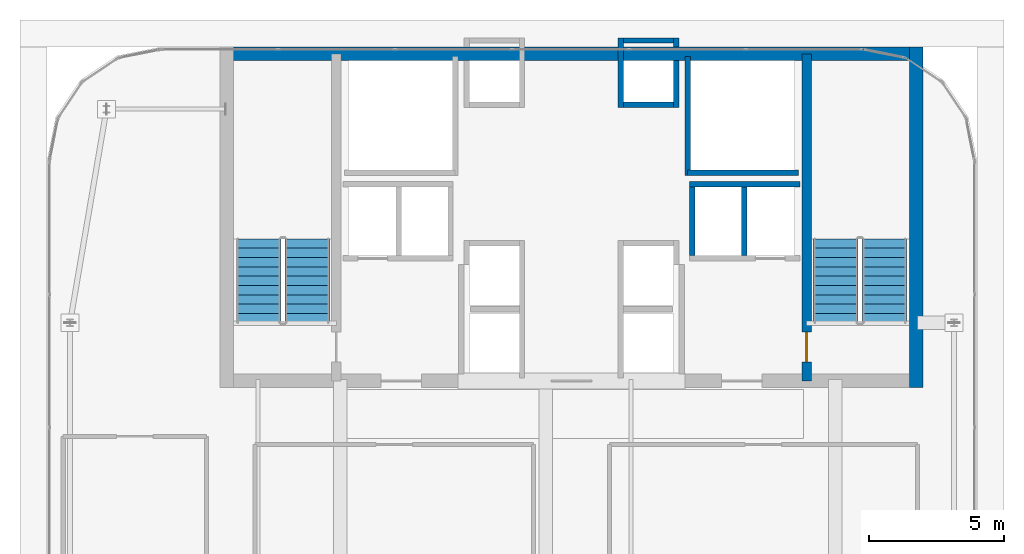
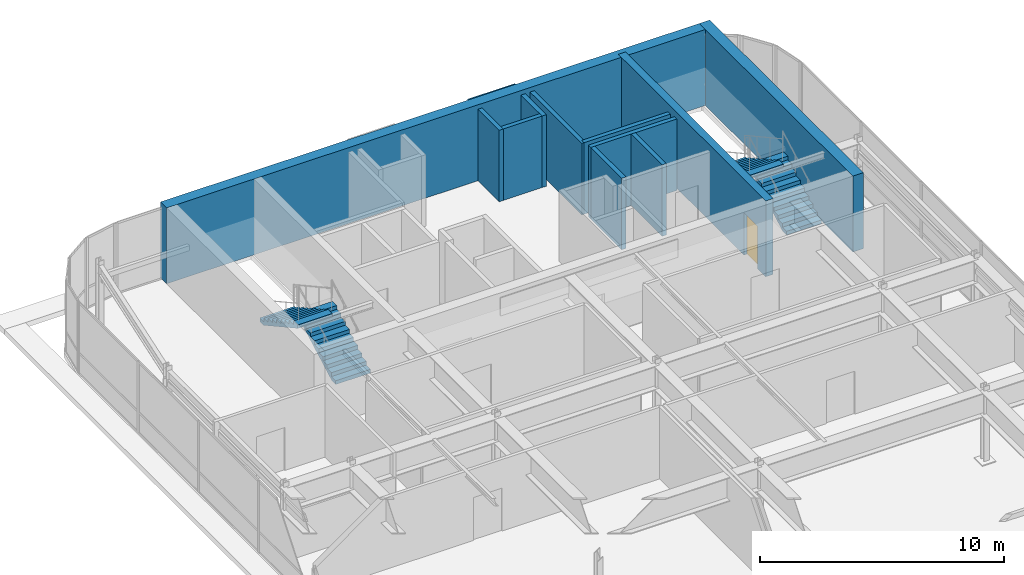
# One storey, part 34 of 35: 13 walls, 4 stair flights, 1 door, 1 opening, 2 elements without a shape of their own.
"""IFC4 building model written with IfcOpenShell, lengths in metres."""

from ifc_helpers import new_model, si_unit, direction, frame, frame_2d, origin, place, context, subcontext, project, spatial, polyline, rectangle, outline, extrude, source, transform, mapped, material, layer, layer_set, type_object, type_shapes, element, fill, aggregate, save


model = new_model("IFC4")

# Units and contexts
model_context = context("Model", 3, precision=1e-05, world=origin(), true_north=direction((0.0, 1.0)))
body_context = subcontext(model_context, "Body", "Model", "MODEL_VIEW")
ifc_project = project(units=[si_unit("LENGTHUNIT", "METRE"), si_unit("AREAUNIT", "SQUARE_METRE"), si_unit("VOLUMEUNIT", "CUBIC_METRE"), si_unit("PLANEANGLEUNIT", "RADIAN"), si_unit("MASSUNIT", "GRAM", prefix="KILO")], contexts=[model_context])

# Site, building, storey
site_placement = place(None, origin())
site = spatial("IfcSite", under=ifc_project, at=site_placement, CompositionType="ELEMENT")
building_placement = place(site_placement, origin())
building = spatial("IfcBuilding", under=site, at=building_placement, Name="Tolvann Quenvar Hotel", CompositionType="ELEMENT")
storey_placement = place(building_placement, frame((0.0, 0.0, 290.949951171875)))
storey = spatial("IfcBuildingStorey", under=building, at=storey_placement, Name="L77", CompositionType="ELEMENT", Elevation=290.949951171875)

# Walls
ifc_material_1 = material(Name="Concrete N50 (50 MPa)", Category="concrete")
ifc_layer_1 = layer(ifc_material_1, 0.5)
ifc_layer_set_1 = layer_set([ifc_layer_1], Name="Concrete N50 (50 MPa)")
wall_type_1 = type_object("IfcWallType", Name="WALL_CORE_500", PredefinedType="SHEAR", material=ifc_layer_set_1)
wall_1_placement = place(storey_placement, frame((10.0, 43.949951171875, 0.0), z_axis=(0.0, 0.0, 1.0), x_axis=(1.0, 0.0, 0.0)))
element("IfcWall", 1, at=wall_1_placement, inside=storey, type_object=wall_type_1, Name="Rear Core N Shear Wall (L77)", PredefinedType="SHEAR", context=body_context, shape_type="SweptSolid", body=[
    extrude(rectangle(XDim=26.0, YDim=0.5, at=frame_2d((13.0, 0.0))), origin(), (0.0, 0.0, 1.0), 3.800048828125),
])
wall_2_placement = place(storey_placement, frame((35.75, 31.60009765625, 0.0), z_axis=(0.0, 0.0, 1.0), x_axis=(0.0, 1.0, 0.0)))
element("IfcWall", 2, at=wall_2_placement, inside=storey, type_object=wall_type_1, Name="Rear Core E Shear Wall (L77)", PredefinedType="SHEAR", context=body_context, shape_type="SweptSolid", body=[
    extrude(rectangle(XDim=12.599853515625, YDim=0.5, at=frame_2d((6.2998046875, 0.0))), origin(), (0.0, 0.0, 1.0), 3.800048828125),
])

# Wall, opening, door
ifc_material_2 = material(Name="Concrete S65 (65 MPa)", Category="concrete")
ifc_layer_2 = layer(ifc_material_2, 0.35009765625)
ifc_layer_set_2 = layer_set([ifc_layer_2], Name="Concrete S65 (65 MPa)")
wall_type_2 = type_object("IfcWallType", Name="WALL_CORE_INT_350", PredefinedType="SHEAR", material=ifc_layer_set_2)
wall_3_placement = place(storey_placement, frame((31.699951171875, 31.85009765625, 0.0), z_axis=(0.0, 0.0, 1.0), x_axis=(0.0, 1.0, 0.0)))
wall_3 = element("IfcWall", 3, at=wall_3_placement, inside=storey, type_object=wall_type_2, Name="Core Internal Web Shear Wall WEB-E (L77)", PredefinedType="SHEAR", context=body_context, shape_type="SweptSolid", body=[
    extrude(rectangle(XDim=12.099853515625, YDim=0.35009765625, at=frame_2d((6.0498046875, 0.0))), origin(), (0.0, 0.0, 1.0), 3.800048828125),
])
opening_placement = place(wall_3_placement, frame((1.800048828125, 0.0, 0.0), z_axis=(0.0, 0.0, 1.0), x_axis=(-1.0, 0.0, 0.0)))
opening = element("IfcOpeningElement", 4, at=opening_placement, cuts=wall_3, Name="Opening FD-120", PredefinedType="OPENING", context=body_context, shape_type="SweptSolid", body=[
    extrude(rectangle(XDim=1.10009765625, YDim=2.1201171875, at=frame_2d((0.550048828125, 1.06005859375))), frame((0.0, 0.18505859375, 0.0), z_axis=(0.0, -1.0, 0.0), x_axis=(1.0, 0.0, 0.0)), (0.0, 0.0, 1.0), 0.3701171875),
])
ifc_material_3 = material(Name="Pressed galvanised steel fire-rated door set", Category="steel")
door_type = type_object("IfcDoorType", Name="DOOR_FIRE_STAIR_1100", OperationType="NOTDEFINED", PredefinedType="DOOR", material=ifc_material_3)
shared_shape = source(origin(), body_context, "Body", "SweptSolid", [
    extrude(rectangle(XDim=1.10009765625, YDim=2.1201171875, at=frame_2d((0.550048828125, 1.06005859375))), frame((0.0, 0.02490234375, 0.0), z_axis=(0.0, -1.0, 0.0), x_axis=(1.0, 0.0, 0.0)), (0.0, 0.0, 1.0), 0.050048828125),
])
type_shapes(door_type, [shared_shape])
door_placement = place(opening_placement, origin())
door = element("IfcDoor", 5, at=door_placement, inside=storey, type_object=door_type, Name="Exit Stair ST-C2 Fire Door (L77)", OperationType="SINGLE_SWING_RIGHT", OverallHeight=2.1201171875, OverallWidth=1.10009765625, PredefinedType="DOOR", context=body_context, shape_type="MappedRepresentation", body=[
    mapped(shared_shape, transform((0.0, 0.0, 0.0), x_axis=(1.0, 0.0, 0.0), y_axis=(0.0, 1.0, 0.0), z_axis=(0.0, 0.0, 1.0), scale=1.0)),
])
fill(opening, door)

# Walls
ifc_material_4 = material(Name="Concrete N40 (40 MPa)", Category="concrete")
ifc_layer_3 = layer(ifc_material_4, 0.199951171875)
ifc_layer_set_3 = layer_set([ifc_layer_3], Name="Concrete N40 (40 MPa)")
wall_type_3 = type_object("IfcWallType", Name="WALL_SHAFT_200", PredefinedType="SOLIDWALL", material=ifc_layer_set_3)
wall_4_placement = place(storey_placement, frame((27.300048828125, 39.449951171875, 0.0), z_axis=(0.0, 0.0, 1.0), x_axis=(0.0, 1.0, 0.0)))
element("IfcWall", 6, at=wall_4_placement, inside=storey, type_object=wall_type_3, Name="Service Riser E Shaft Wall IN (L77)", PredefinedType="SOLIDWALL", context=body_context, shape_type="SweptSolid", body=[
    extrude(rectangle(XDim=4.400146484375, YDim=0.199951171875, at=frame_2d((2.2001953125, 0.0))), origin(), (0.0, 0.0, 1.0), 3.580078125),
])
wall_5_placement = place(storey_placement, frame((27.300048828125, 39.550048828125, 0.0), z_axis=(0.0, 0.0, 1.0), x_axis=(1.0, 0.0, 0.0)))
element("IfcWall", 7, at=wall_5_placement, inside=storey, type_object=wall_type_3, Name="Service Riser E Shaft Wall S (L77)", PredefinedType="SOLIDWALL", context=body_context, shape_type="SweptSolid", body=[
    extrude(rectangle(XDim=4.099853515625, YDim=0.199951171875, at=frame_2d((2.0498046875, 0.0))), origin(), (0.0, 0.0, 1.0), 3.580078125),
])
wall_6_placement = place(storey_placement, frame((27.375, 39.1201171875, 0.0), z_axis=(0.0, 0.0, 1.0), x_axis=(1.0, 0.0, 0.0)))
element("IfcWall", 8, at=wall_6_placement, inside=storey, type_object=wall_type_3, Name="Lift Bank SEC1 Hoistway Rear Wall (L77)", PredefinedType="SOLIDWALL", context=body_context, shape_type="SweptSolid", body=[
    extrude(rectangle(XDim=4.074951171875, YDim=0.199951171875, at=frame_2d((2.03759765625, 0.0))), origin(), (0.0, 0.0, 1.0), 3.580078125),
])
for number, where, z_axis, x_axis, name in (
    (9, (27.47509765625, 36.47998046875, 0.0), (0.0, 0.0, 1.0), (0.0, 1.0, 0.0), "Lift Bank SEC1 Hoistway Cheek Wall 1 (L77)"),
    (10, (29.387451171875, 36.47998046875, 0.0), (0.0, 0.0, 1.0), (0.0, 1.0, 0.0), "Lift Bank SEC1 Divider Wall 1 (L77)"),
):
    element("IfcWall", number, at=place(storey_placement, frame(where, z_axis=z_axis, x_axis=x_axis)), inside=storey, type_object=wall_type_3, Name=name, PredefinedType="SOLIDWALL", context=body_context, shape_type="SweptSolid", body=[
        extrude(rectangle(XDim=2.5400390625, YDim=0.199951171875, at=frame_2d((1.27001953125, 0.0))), origin(), (0.0, 0.0, 1.0), 3.580078125),
    ])
wall_7_placement = place(storey_placement, frame((24.830078125, 41.9599609375, 0.0), z_axis=(0.0, 0.0, 1.0), x_axis=(0.0, 1.0, 0.0)))
element("IfcWall", 11, at=wall_7_placement, inside=storey, type_object=wall_type_3, Name="Lift Bank W24.9C2 Hoistway Front Wall (L77)", PredefinedType="SOLIDWALL", context=body_context, shape_type="SweptSolid", body=[
    extrude(rectangle(XDim=2.580078125, YDim=0.199951171875, at=frame_2d((1.2900390625, 0.0))), origin(), (0.0, 0.0, 1.0), 3.580078125),
])
wall_8_placement = place(storey_placement, frame((26.8701171875, 41.9599609375, 0.0), z_axis=(0.0, 0.0, 1.0), x_axis=(0.0, 1.0, 0.0)))
element("IfcWall", 12, at=wall_8_placement, inside=storey, type_object=wall_type_3, Name="Lift Bank W24.9C2 Hoistway Rear Wall (L77)", PredefinedType="SOLIDWALL", context=body_context, shape_type="SweptSolid", body=[
    extrude(rectangle(XDim=1.736083984375, YDim=0.199951171875, at=frame_2d((0.8681640625, 0.0))), origin(), (0.0, 0.0, 1.0), 3.580078125),
])
wall_9_placement = place(storey_placement, frame((26.8701171875, 44.2041015625, 0.0), z_axis=(0.0, 0.0, 1.0), x_axis=(0.0, 1.0, 0.0)))
element("IfcWall", 13, at=wall_9_placement, inside=storey, type_object=wall_type_3, Name="Lift Bank W24.9C2 Hoistway Rear Wall (L77)", PredefinedType="SOLIDWALL", context=body_context, shape_type="SweptSolid", body=[
    extrude(rectangle(XDim=0.3359375, YDim=0.199951171875, at=frame_2d((0.16796875, 0.0))), origin(), (0.0, 0.0, 1.0), 3.580078125),
])
for number, where, z_axis, x_axis, name in (
    (14, (24.929931640625, 42.06005859375, 0.0), (0.0, 0.0, 1.0), (1.0, 0.0, 0.0), "Lift Bank W24.9C2 Hoistway Cheek Wall 1 (L77)"),
    (15, (24.929931640625, 44.43994140625, 0.0), (0.0, 0.0, 1.0), (1.0, 0.0, 0.0), "Lift Bank W24.9C2 Hoistway Cheek Wall 2 (L77)"),
):
    element("IfcWall", number, at=place(storey_placement, frame(where, z_axis=z_axis, x_axis=x_axis)), inside=storey, type_object=wall_type_3, Name=name, PredefinedType="SOLIDWALL", context=body_context, shape_type="SweptSolid", body=[
        extrude(rectangle(XDim=1.840087890625, YDim=0.199951171875, at=frame_2d((0.919921875, 0.0))), origin(), (0.0, 0.0, 1.0), 3.580078125),
    ])

# Stair, stair flights
stair_type = type_object("IfcStairType", Name="STAIR", PredefinedType="HALF_TURN_STAIR", material=ifc_material_4)
stair_1_placement = place(storey_placement, origin())
stair_1 = element("IfcStair", 16, at=stair_1_placement, inside=storey, type_object=stair_type, Name="L77 ST-C1", PredefinedType="HALF_TURN_STAIR")
stair_flight_type = type_object("IfcStairFlightType", Name="STAIR_FLIGHT", PredefinedType="STRAIGHT", material=ifc_material_4)
stair_flight_1_placement = place(storey_placement, frame((13.22509765625, 34.0, 0.0), z_axis=(0.0, 0.0, 1.0), x_axis=(0.0, 1.0, 0.0)))
stair_flight_1 = element("IfcStairFlight", 17, at=stair_flight_1_placement, type_object=stair_flight_type, Name="ST-C1 flight 1", NumberOfRisers=10, NumberOfTreads=9, PredefinedType="STRAIGHT", RiserHeight=0.19, TreadLength=0.345, context=body_context, shape_type="SweptSolid", body=[
    extrude(outline(polyline([(0.0, 0.0), (0.0, 0.18994140625), (0.344970703125, 0.18994140625), (0.344970703125, 0.3798828125), (0.68994140625, 0.3798828125), (0.68994140625, 0.570068359375), (1.034912109375, 0.570068359375), (1.034912109375, 0.760009765625), (1.3798828125, 0.760009765625), (1.3798828125, 0.949951171875), (1.72509765625, 0.949951171875), (1.72509765625, 1.139892578125), (2.070068359375, 1.139892578125), (2.070068359375, 1.330078125), (2.4150390625, 1.330078125), (2.4150390625, 1.52001953125), (2.760009765625, 1.52001953125), (2.760009765625, 1.7099609375), (3.10498046875, 1.7099609375), (3.10498046875, 1.89990234375), (3.10498046875, 1.538818359375), (0.310791015625, 0.0), (0.0, 0.0)])), frame((0.0, 0.824951171875, 0.0), z_axis=(0.0, -1.0, 0.0), x_axis=(1.0, 0.0, 0.0)), (0.0, 0.0, 1.0), 1.64990234375),
])
stair_flight_2_placement = place(storey_placement, frame((11.425048828125, 37.10498046875, 1.900146484375), z_axis=(0.0, 0.0, 1.0), x_axis=(0.0, -1.0, 0.0)))
stair_flight_2 = element("IfcStairFlight", 18, at=stair_flight_2_placement, type_object=stair_flight_type, Name="ST-C1 flight 2", NumberOfRisers=10, NumberOfTreads=9, PredefinedType="STRAIGHT", RiserHeight=0.19, TreadLength=0.345, context=body_context, shape_type="SweptSolid", body=[
    extrude(outline(polyline([(0.0, 0.0), (0.0, 0.18994140625), (0.344970703125, 0.18994140625), (0.344970703125, 0.3798828125), (0.68994140625, 0.3798828125), (0.68994140625, 0.570068359375), (1.034912109375, 0.570068359375), (1.034912109375, 0.760009765625), (1.3798828125, 0.760009765625), (1.3798828125, 0.949951171875), (1.72509765625, 0.949951171875), (1.72509765625, 1.139892578125), (2.070068359375, 1.139892578125), (2.070068359375, 1.330078125), (2.4150390625, 1.330078125), (2.4150390625, 1.52001953125), (2.760009765625, 1.52001953125), (2.760009765625, 1.7099609375), (3.10498046875, 1.7099609375), (3.10498046875, 1.89990234375), (3.10498046875, 1.538818359375), (0.310791015625, 0.0), (0.0, 0.0)])), frame((0.0, 0.824951171875, 0.0), z_axis=(0.0, -1.0, 0.0), x_axis=(1.0, 0.0, 0.0)), (0.0, 0.0, 1.0), 1.64990234375),
])
aggregate(stair_1, [stair_flight_1, stair_flight_2])

stair_2_placement = place(storey_placement, origin())
stair_2 = element("IfcStair", 19, at=stair_2_placement, inside=storey, type_object=stair_type, Name="L77 ST-C2", PredefinedType="HALF_TURN_STAIR")
stair_flight_3_placement = place(storey_placement, frame((34.574951171875, 34.0, 0.0), z_axis=(0.0, 0.0, 1.0), x_axis=(0.0, 1.0, 0.0)))
stair_flight_3 = element("IfcStairFlight", 20, at=stair_flight_3_placement, type_object=stair_flight_type, Name="ST-C2 flight 1", NumberOfRisers=10, NumberOfTreads=9, PredefinedType="STRAIGHT", RiserHeight=0.19, TreadLength=0.345, context=body_context, shape_type="SweptSolid", body=[
    extrude(outline(polyline([(0.0, 0.0), (0.0, 0.18994140625), (0.344970703125, 0.18994140625), (0.344970703125, 0.3798828125), (0.68994140625, 0.3798828125), (0.68994140625, 0.570068359375), (1.034912109375, 0.570068359375), (1.034912109375, 0.760009765625), (1.3798828125, 0.760009765625), (1.3798828125, 0.949951171875), (1.72509765625, 0.949951171875), (1.72509765625, 1.139892578125), (2.070068359375, 1.139892578125), (2.070068359375, 1.330078125), (2.4150390625, 1.330078125), (2.4150390625, 1.52001953125), (2.760009765625, 1.52001953125), (2.760009765625, 1.7099609375), (3.10498046875, 1.7099609375), (3.10498046875, 1.89990234375), (3.10498046875, 1.538818359375), (0.310791015625, 0.0), (0.0, 0.0)])), frame((0.0, 0.824951171875, 0.0), z_axis=(0.0, -1.0, 0.0), x_axis=(1.0, 0.0, 0.0)), (0.0, 0.0, 1.0), 1.64990234375),
])
stair_flight_4_placement = place(storey_placement, frame((32.77490234375, 37.10498046875, 1.900146484375), z_axis=(0.0, 0.0, 1.0), x_axis=(0.0, -1.0, 0.0)))
stair_flight_4 = element("IfcStairFlight", 21, at=stair_flight_4_placement, type_object=stair_flight_type, Name="ST-C2 flight 2", NumberOfRisers=10, NumberOfTreads=9, PredefinedType="STRAIGHT", RiserHeight=0.19, TreadLength=0.345, context=body_context, shape_type="SweptSolid", body=[
    extrude(outline(polyline([(0.0, 0.0), (0.0, 0.18994140625), (0.344970703125, 0.18994140625), (0.344970703125, 0.3798828125), (0.68994140625, 0.3798828125), (0.68994140625, 0.570068359375), (1.034912109375, 0.570068359375), (1.034912109375, 0.760009765625), (1.3798828125, 0.760009765625), (1.3798828125, 0.949951171875), (1.72509765625, 0.949951171875), (1.72509765625, 1.139892578125), (2.070068359375, 1.139892578125), (2.070068359375, 1.330078125), (2.4150390625, 1.330078125), (2.4150390625, 1.52001953125), (2.760009765625, 1.52001953125), (2.760009765625, 1.7099609375), (3.10498046875, 1.7099609375), (3.10498046875, 1.89990234375), (3.10498046875, 1.538818359375), (0.310791015625, 0.0), (0.0, 0.0)])), frame((0.0, 0.824951171875, 0.0), z_axis=(0.0, -1.0, 0.0), x_axis=(1.0, 0.0, 0.0)), (0.0, 0.0, 1.0), 1.64990234375),
])
aggregate(stair_2, [stair_flight_3, stair_flight_4])

save(model, "model.ifc")
